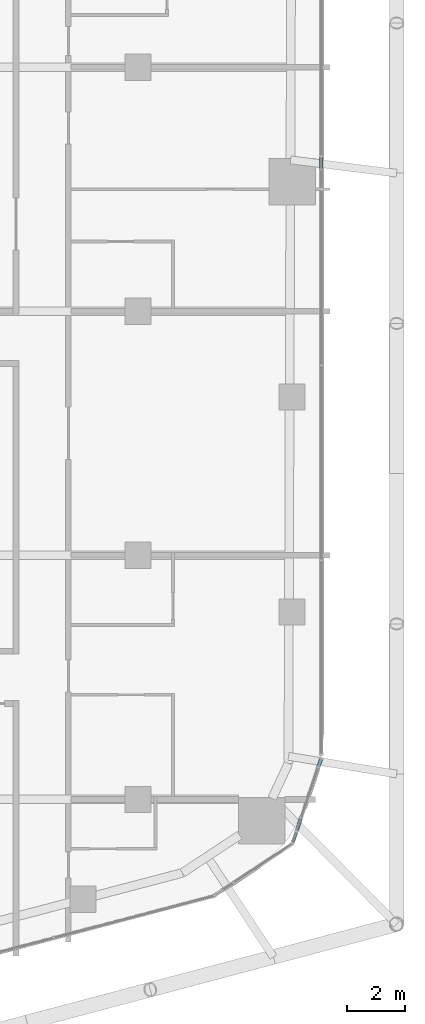
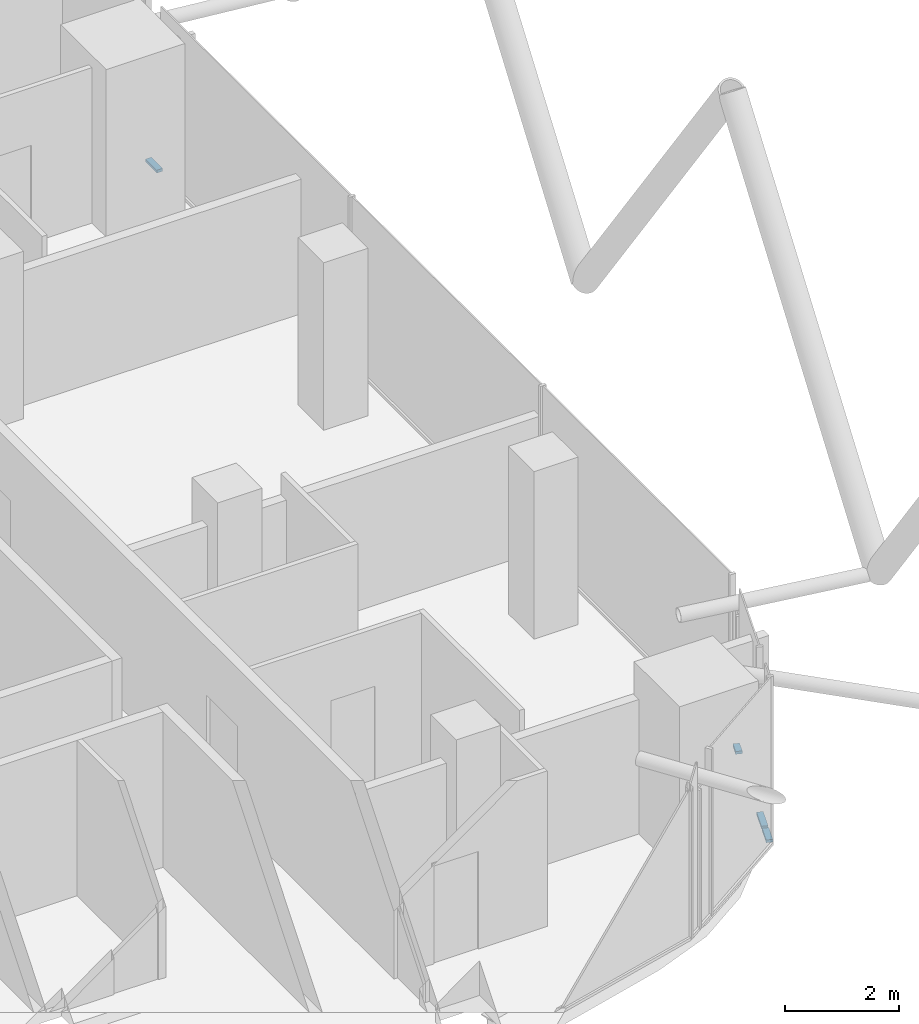
# One storey, part 16 of 36: 4 members, 4 elements without a shape of their own.
"""IFC4 building model written with IfcOpenShell, lengths in metres."""

from ifc_helpers import new_model, si_unit, direction, frame, origin, origin_2d, place, context, subcontext, project, spatial, rectangle, extrude, material, layer, layer_set, material_profile, profile_set, type_object, element, aggregate, save


model = new_model("IFC4")

# Units and contexts
model_context = context("Model", 3, precision=1e-05, world=origin(), true_north=direction((0.0, 1.0)))
body_context = subcontext(model_context, "Body", "Model", "MODEL_VIEW")
ifc_project = project(units=[si_unit("LENGTHUNIT", "METRE"), si_unit("AREAUNIT", "SQUARE_METRE"), si_unit("VOLUMEUNIT", "CUBIC_METRE"), si_unit("PLANEANGLEUNIT", "RADIAN"), si_unit("MASSUNIT", "GRAM", prefix="KILO")], contexts=[model_context])

# Site, building, storey
site_placement = place(None, origin())
site = spatial("IfcSite", under=ifc_project, at=site_placement, CompositionType="ELEMENT")
building_placement = place(site_placement, origin())
building = spatial("IfcBuilding", under=site, at=building_placement, Name="Marenta Gate Hotel Tower", CompositionType="ELEMENT")
storey_placement = place(building_placement, frame((0.0, 0.0, 158.89990234375)))
storey = spatial("IfcBuildingStorey", under=building, at=storey_placement, Name="L37", CompositionType="ELEMENT", Elevation=158.89990234375)

# Curtain wall, member
ifc_material_1 = material(Name="Tinted insulated glass in bronze anodised frame", Category="glass")
ifc_layer = layer(ifc_material_1, 0.1201171875)
ifc_layer_set = layer_set([ifc_layer], Name="Tinted insulated glass in bronze anodised frame")
curtain_wall_type = type_object("IfcCurtainWallType", Name="Tower unitised curtain wall CW1", PredefinedType="NOTDEFINED", material=ifc_layer_set)
curtain_wall_1_placement = place(storey_placement, origin())
curtain_wall_1 = element("IfcCurtainWall", 1, at=curtain_wall_1_placement, inside=storey, type_object=curtain_wall_type, Name="CW1 run G29", PredefinedType="NOTDEFINED")
ifc_material_2 = material(Name="Bronze anodised aluminium", Category="aluminium")
ifc_material_profile = material_profile(ifc_material_2, rectangle(XDim=0.1201171875, YDim=0.06005859375, at=origin_2d()), Name="Transom CW1 60x120 bronze anodised aluminium")
ifc_profile_set = profile_set([ifc_material_profile], Name="Bronze anodised aluminium")
member_type = type_object("IfcMemberType", Name="Transom CW1 60x120 bronze anodised aluminium", PredefinedType="USERDEFINED", material=ifc_profile_set)
member_1_placement = place(storey_placement, frame((26.32421875, -18.27783203125, 0.030029296875), z_axis=(0.322187955567, 0.946675721294, 0.0), x_axis=(-0.946675721294, 0.322187955567, 0.0)))
member_1 = element("IfcMember", 2, at=member_1_placement, type_object=member_type, Name="CW1 transom 1.1", ObjectType="TRANSOM", PredefinedType="USERDEFINED", context=body_context, shape_type="SweptSolid", body=[
    extrude(rectangle(XDim=0.1201171875, YDim=0.06005859375, at=origin_2d()), origin(), (0.0, 0.0, 1.0), 0.3681640625),
])
aggregate(curtain_wall_1, [member_1])

curtain_wall_2_placement = place(storey_placement, origin())
curtain_wall_2 = element("IfcCurtainWall", 3, at=curtain_wall_2_placement, inside=storey, type_object=curtain_wall_type, Name="CW1 run G30", PredefinedType="NOTDEFINED")
member_2_placement = place(storey_placement, frame((26.462158203125, -17.872314453125, 0.030029296875), z_axis=(0.321804616278, 0.946806098915, 0.0), x_axis=(-0.946806098915, 0.321804616278, 0.0)))
member_2 = element("IfcMember", 4, at=member_2_placement, type_object=member_type, Name="CW1 transom 1.1", ObjectType="TRANSOM", PredefinedType="USERDEFINED", context=body_context, shape_type="SweptSolid", body=[
    extrude(rectangle(XDim=0.1201171875, YDim=0.06005859375, at=origin_2d()), origin(), (0.0, 0.0, 1.0), 0.446044921875),
])
aggregate(curtain_wall_2, [member_2])

curtain_wall_3_placement = place(storey_placement, origin())
curtain_wall_3 = element("IfcCurtainWall", 5, at=curtain_wall_3_placement, inside=storey, type_object=curtain_wall_type, Name="CW1 run G32", PredefinedType="NOTDEFINED")
member_3_placement = place(storey_placement, frame((27.21533203125, -15.65771484375, 0.030029296875), z_axis=(0.322471894832, 0.946579038984, 0.0), x_axis=(-0.946579038984, 0.322471894832, 0.0)))
member_3 = element("IfcMember", 6, at=member_3_placement, type_object=member_type, Name="CW1 transom 1.1", ObjectType="TRANSOM", PredefinedType="USERDEFINED", context=body_context, shape_type="SweptSolid", body=[
    extrude(rectangle(XDim=0.1201171875, YDim=0.06005859375, at=origin_2d()), origin(), (0.0, 0.0, 1.0), 0.24609375),
])
aggregate(curtain_wall_3, [member_3])

curtain_wall_4_placement = place(storey_placement, origin())
curtain_wall_4 = element("IfcCurtainWall", 7, at=curtain_wall_4_placement, inside=storey, type_object=curtain_wall_type, Name="CW1 run G34", PredefinedType="NOTDEFINED")
member_4_placement = place(storey_placement, frame((27.31396484375, 4.906982421875, 0.030029296875), z_axis=(0.0, 1.0, 0.0), x_axis=(-1.0, 0.0, 0.0)))
member_4 = element("IfcMember", 8, at=member_4_placement, type_object=member_type, Name="CW1 transom 1.1", ObjectType="TRANSOM", PredefinedType="USERDEFINED", context=body_context, shape_type="SweptSolid", body=[
    extrude(rectangle(XDim=0.1201171875, YDim=0.06005859375, at=origin_2d()), origin(), (0.0, 0.0, 1.0), 0.396728515625),
])
aggregate(curtain_wall_4, [member_4])

save(model, "model.ifc")
